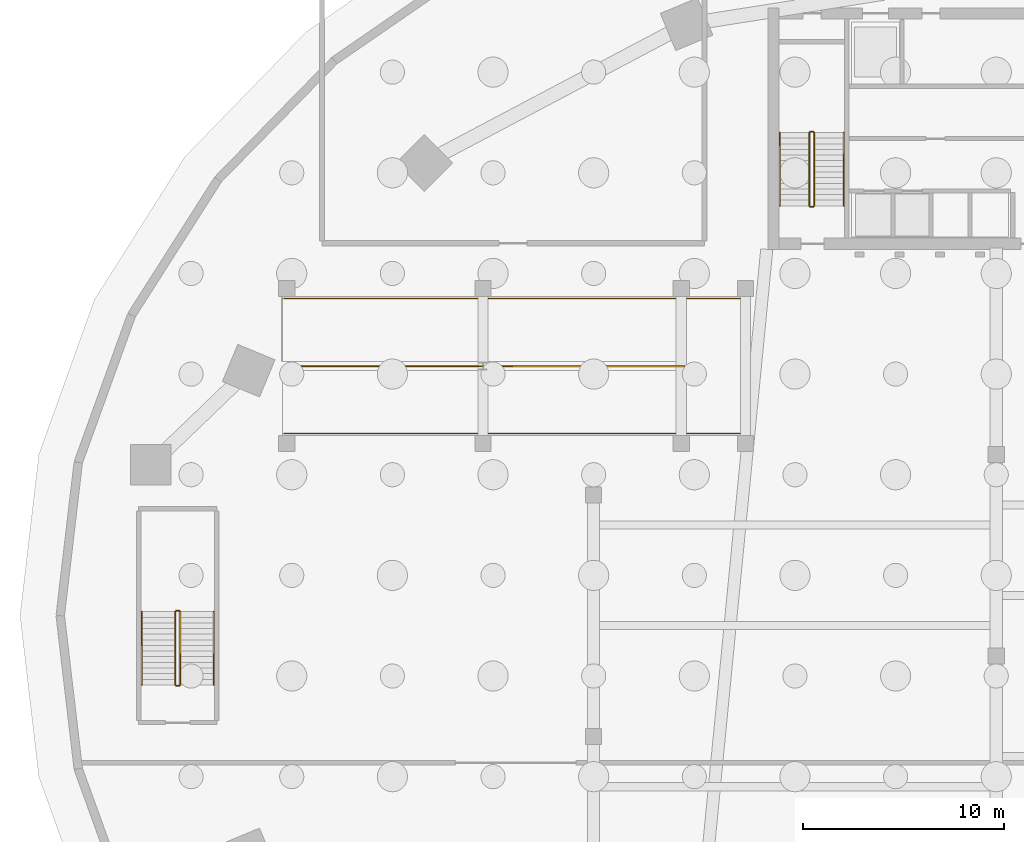
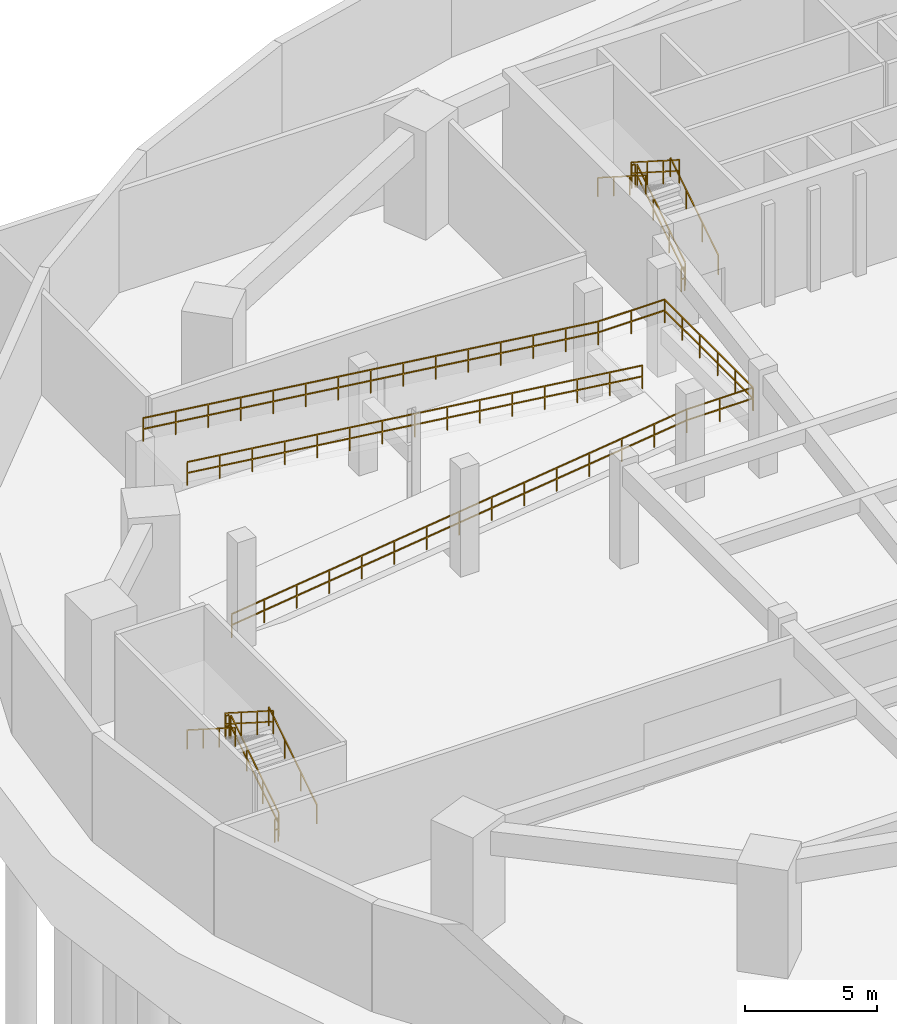
# One storey, part 9 of 11: 14 railings.
"""IFC4 building model written with IfcOpenShell, lengths in metres."""

from ifc_helpers import new_model, si_unit, direction, frame, origin, origin_2d, place, context, subcontext, project, spatial, rectangle, extrude, material, type_object, element, save


model = new_model("IFC4")

# Units and contexts
model_context = context("Model", 3, precision=1e-05, world=origin(), true_north=direction((0.0, 1.0)))
body_context = subcontext(model_context, "Body", "Model", "MODEL_VIEW")
ifc_project = project(units=[si_unit("LENGTHUNIT", "METRE"), si_unit("AREAUNIT", "SQUARE_METRE"), si_unit("VOLUMEUNIT", "CUBIC_METRE"), si_unit("PLANEANGLEUNIT", "RADIAN"), si_unit("MASSUNIT", "GRAM", prefix="KILO")], contexts=[model_context])

# Site, building, storey
site_placement = place(None, origin())
site = spatial("IfcSite", under=ifc_project, at=site_placement, CompositionType="ELEMENT")
building_placement = place(site_placement, origin())
building = spatial("IfcBuilding", under=site, at=building_placement, Name="Breltana Convention Tower", CompositionType="ELEMENT")
storey_placement = place(building_placement, frame((0.0, 0.0, -10.0)))
storey = spatial("IfcBuildingStorey", under=building, at=storey_placement, Name="B02", CompositionType="ELEMENT", Elevation=-10.0)

# Railings
ifc_material_1 = material(Name="Steel S275 Painted", Category="steel")
railing_type_1 = type_object("IfcRailingType", Name="RL-STAIR-GUARD-1100", PredefinedType="GUARDRAIL", material=ifc_material_1)
railing_1_placement = place(storey_placement, frame((38.9599609375, 62.360107421875, 0.178466796875)))
element("IfcRailing", 1, at=railing_1_placement, inside=storey, type_object=railing_type_1, Name="B02 ST-1 stair guard 1", PredefinedType="GUARDRAIL", context=body_context, shape_type="SweptSolid", body=[
    extrude(rectangle(XDim=0.048095703125, YDim=0.048095703125, at=origin_2d()), frame((0.0, 0.0, 1.076171875), z_axis=(0.0, 0.843111507901, 0.53773877045), x_axis=(-1.0, 0.0, 0.0)), (0.0, 0.0, 1.0), 4.317138671875),
    extrude(rectangle(XDim=0.048095703125, YDim=0.048095703125, at=origin_2d()), frame((0.0, 0.0, 0.572021484375), z_axis=(0.0, 0.843111507901, 0.53773877045), x_axis=(-1.0, 0.0, 0.0)), (0.0, 0.0, 1.0), 4.317138671875),
    extrude(rectangle(XDim=0.0419921875, YDim=0.0419921875, at=origin_2d()), origin(), (0.0, 0.0, 1.0), 1.052001953125),
    extrude(rectangle(XDim=0.0419921875, YDim=0.0419921875, at=origin_2d()), frame((0.0, 1.21337890625, 0.77392578125)), (0.0, 0.0, 1.0), 1.052001953125),
    extrude(rectangle(XDim=0.0419921875, YDim=0.0419921875, at=origin_2d()), frame((0.0, 2.426513671875, 1.547607421875)), (0.0, 0.0, 1.0), 1.052001953125),
    extrude(rectangle(XDim=0.0419921875, YDim=0.0419921875, at=origin_2d()), frame((0.0, 3.639892578125, 2.321533203125)), (0.0, 0.0, 1.0), 1.052001953125),
])
railing_2_placement = place(storey_placement, frame((38.909912109375, 66.050048828125, 2.5)))
element("IfcRailing", 2, at=railing_2_placement, inside=storey, type_object=railing_type_1, Name="B02 ST-1 stair guard 2", PredefinedType="GUARDRAIL", context=body_context, shape_type="SweptSolid", body=[
    extrude(rectangle(XDim=0.048095703125, YDim=0.048095703125, at=origin_2d()), frame((0.0, 0.0, 1.076171875), z_axis=(-1.0, 0.0, 0.0), x_axis=(0.0, -1.0, 0.0)), (0.0, 0.0, 1.0), 0.14990234375),
    extrude(rectangle(XDim=0.048095703125, YDim=0.048095703125, at=origin_2d()), frame((0.0, 0.0, 0.572021484375), z_axis=(-1.0, 0.0, 0.0), x_axis=(0.0, -1.0, 0.0)), (0.0, 0.0, 1.0), 0.14990234375),
    extrude(rectangle(XDim=0.0419921875, YDim=0.0419921875, at=origin_2d()), origin(), (0.0, 0.0, 1.0), 1.052001953125),
    extrude(rectangle(XDim=0.0419921875, YDim=0.0419921875, at=origin_2d()), frame((-0.14990234375, 0.0, 0.0)), (0.0, 0.0, 1.0), 1.052001953125),
])
railing_3_placement = place(storey_placement, frame((38.7099609375, 66.0, 2.678466796875)))
element("IfcRailing", 3, at=railing_3_placement, inside=storey, type_object=railing_type_1, Name="B02 ST-1 stair guard 3", PredefinedType="GUARDRAIL", context=body_context, shape_type="SweptSolid", body=[
    extrude(rectangle(XDim=0.048095703125, YDim=0.048095703125, at=origin_2d()), frame((0.0, 0.0, 1.076171875), z_axis=(0.0, -0.843111507901, 0.53773877045), x_axis=(1.0, 0.0, 0.0)), (0.0, 0.0, 1.0), 4.317138671875),
    extrude(rectangle(XDim=0.048095703125, YDim=0.048095703125, at=origin_2d()), frame((0.0, 0.0, 0.572021484375), z_axis=(0.0, -0.843111507901, 0.53773877045), x_axis=(1.0, 0.0, 0.0)), (0.0, 0.0, 1.0), 4.317138671875),
    extrude(rectangle(XDim=0.0419921875, YDim=0.0419921875, at=origin_2d()), origin(), (0.0, 0.0, 1.0), 1.052001953125),
    extrude(rectangle(XDim=0.0419921875, YDim=0.0419921875, at=origin_2d()), frame((0.0, -1.21337890625, 0.77392578125)), (0.0, 0.0, 1.0), 1.052001953125),
    extrude(rectangle(XDim=0.0419921875, YDim=0.0419921875, at=origin_2d()), frame((0.0, -2.426513671875, 1.547607421875)), (0.0, 0.0, 1.0), 1.052001953125),
    extrude(rectangle(XDim=0.0419921875, YDim=0.0419921875, at=origin_2d()), frame((0.0, -3.639892578125, 2.321533203125)), (0.0, 0.0, 1.0), 1.052001953125),
])
railing_4_placement = place(storey_placement, frame((38.909912109375, 62.31005859375, 0.0)))
element("IfcRailing", 4, at=railing_4_placement, inside=storey, type_object=railing_type_1, Name="B02 ST-1 stair guard 4", PredefinedType="GUARDRAIL", context=body_context, shape_type="SweptSolid", body=[
    extrude(rectangle(XDim=0.048095703125, YDim=0.048095703125, at=origin_2d()), frame((0.0, 0.0, 1.076171875), z_axis=(-1.0, 0.0, 0.0), x_axis=(0.0, -1.0, 0.0)), (0.0, 0.0, 1.0), 0.14990234375),
    extrude(rectangle(XDim=0.048095703125, YDim=0.048095703125, at=origin_2d()), frame((0.0, 0.0, 0.572021484375), z_axis=(-1.0, 0.0, 0.0), x_axis=(0.0, -1.0, 0.0)), (0.0, 0.0, 1.0), 0.14990234375),
    extrude(rectangle(XDim=0.0419921875, YDim=0.0419921875, at=origin_2d()), origin(), (0.0, 0.0, 1.0), 1.052001953125),
    extrude(rectangle(XDim=0.0419921875, YDim=0.0419921875, at=origin_2d()), frame((-0.14990234375, 0.0, 0.0)), (0.0, 0.0, 1.0), 1.052001953125),
])
railing_5_placement = place(storey_placement, frame((7.4599609375, 38.56005859375, 0.178466796875)))
element("IfcRailing", 5, at=railing_5_placement, inside=storey, type_object=railing_type_1, Name="B02 ST-3 stair guard 1", PredefinedType="GUARDRAIL", context=body_context, shape_type="SweptSolid", body=[
    extrude(rectangle(XDim=0.048095703125, YDim=0.048095703125, at=origin_2d()), frame((0.0, 0.0, 1.076171875), z_axis=(0.0, 0.843111507901, 0.53773877045), x_axis=(-1.0, 0.0, 0.0)), (0.0, 0.0, 1.0), 4.317138671875),
    extrude(rectangle(XDim=0.048095703125, YDim=0.048095703125, at=origin_2d()), frame((0.0, 0.0, 0.572021484375), z_axis=(0.0, 0.843111507901, 0.53773877045), x_axis=(-1.0, 0.0, 0.0)), (0.0, 0.0, 1.0), 4.317138671875),
    extrude(rectangle(XDim=0.0419921875, YDim=0.0419921875, at=origin_2d()), origin(), (0.0, 0.0, 1.0), 1.052001953125),
    extrude(rectangle(XDim=0.0419921875, YDim=0.0419921875, at=origin_2d()), frame((0.0, 1.21337890625, 0.77392578125)), (0.0, 0.0, 1.0), 1.052001953125),
    extrude(rectangle(XDim=0.0419921875, YDim=0.0419921875, at=origin_2d()), frame((0.0, 2.426513671875, 1.547607421875)), (0.0, 0.0, 1.0), 1.052001953125),
    extrude(rectangle(XDim=0.0419921875, YDim=0.0419921875, at=origin_2d()), frame((0.0, 3.639892578125, 2.321533203125)), (0.0, 0.0, 1.0), 1.052001953125),
])
railing_6_placement = place(storey_placement, frame((7.409912109375, 42.25, 2.5)))
element("IfcRailing", 6, at=railing_6_placement, inside=storey, type_object=railing_type_1, Name="B02 ST-3 stair guard 2", PredefinedType="GUARDRAIL", context=body_context, shape_type="SweptSolid", body=[
    extrude(rectangle(XDim=0.048095703125, YDim=0.048095703125, at=origin_2d()), frame((0.0, 0.0, 1.076171875), z_axis=(-1.0, 0.0, 0.0), x_axis=(0.0, -1.0, 0.0)), (0.0, 0.0, 1.0), 0.14990234375),
    extrude(rectangle(XDim=0.048095703125, YDim=0.048095703125, at=origin_2d()), frame((0.0, 0.0, 0.572021484375), z_axis=(-1.0, 0.0, 0.0), x_axis=(0.0, -1.0, 0.0)), (0.0, 0.0, 1.0), 0.14990234375),
    extrude(rectangle(XDim=0.0419921875, YDim=0.0419921875, at=origin_2d()), origin(), (0.0, 0.0, 1.0), 1.052001953125),
    extrude(rectangle(XDim=0.0419921875, YDim=0.0419921875, at=origin_2d()), frame((-0.14990234375, 0.0, 0.0)), (0.0, 0.0, 1.0), 1.052001953125),
])
railing_7_placement = place(storey_placement, frame((7.2099609375, 42.199951171875, 2.678466796875)))
element("IfcRailing", 7, at=railing_7_placement, inside=storey, type_object=railing_type_1, Name="B02 ST-3 stair guard 3", PredefinedType="GUARDRAIL", context=body_context, shape_type="SweptSolid", body=[
    extrude(rectangle(XDim=0.048095703125, YDim=0.048095703125, at=origin_2d()), frame((0.0, 0.0, 1.076171875), z_axis=(0.0, -0.843111507901, 0.53773877045), x_axis=(1.0, 0.0, 0.0)), (0.0, 0.0, 1.0), 4.317138671875),
    extrude(rectangle(XDim=0.048095703125, YDim=0.048095703125, at=origin_2d()), frame((0.0, 0.0, 0.572021484375), z_axis=(0.0, -0.843111507901, 0.53773877045), x_axis=(1.0, 0.0, 0.0)), (0.0, 0.0, 1.0), 4.317138671875),
    extrude(rectangle(XDim=0.0419921875, YDim=0.0419921875, at=origin_2d()), origin(), (0.0, 0.0, 1.0), 1.052001953125),
    extrude(rectangle(XDim=0.0419921875, YDim=0.0419921875, at=origin_2d()), frame((0.0, -1.21337890625, 0.77392578125)), (0.0, 0.0, 1.0), 1.052001953125),
    extrude(rectangle(XDim=0.0419921875, YDim=0.0419921875, at=origin_2d()), frame((0.0, -2.426513671875, 1.547607421875)), (0.0, 0.0, 1.0), 1.052001953125),
    extrude(rectangle(XDim=0.0419921875, YDim=0.0419921875, at=origin_2d()), frame((0.0, -3.639892578125, 2.321533203125)), (0.0, 0.0, 1.0), 1.052001953125),
])
railing_8_placement = place(storey_placement, frame((7.409912109375, 38.510009765625, 0.0)))
element("IfcRailing", 8, at=railing_8_placement, inside=storey, type_object=railing_type_1, Name="B02 ST-3 stair guard 4", PredefinedType="GUARDRAIL", context=body_context, shape_type="SweptSolid", body=[
    extrude(rectangle(XDim=0.048095703125, YDim=0.048095703125, at=origin_2d()), frame((0.0, 0.0, 1.076171875), z_axis=(-1.0, 0.0, 0.0), x_axis=(0.0, -1.0, 0.0)), (0.0, 0.0, 1.0), 0.14990234375),
    extrude(rectangle(XDim=0.048095703125, YDim=0.048095703125, at=origin_2d()), frame((0.0, 0.0, 0.572021484375), z_axis=(-1.0, 0.0, 0.0), x_axis=(0.0, -1.0, 0.0)), (0.0, 0.0, 1.0), 0.14990234375),
    extrude(rectangle(XDim=0.0419921875, YDim=0.0419921875, at=origin_2d()), origin(), (0.0, 0.0, 1.0), 1.052001953125),
    extrude(rectangle(XDim=0.0419921875, YDim=0.0419921875, at=origin_2d()), frame((-0.14990234375, 0.0, 0.0)), (0.0, 0.0, 1.0), 1.052001953125),
])
railing_9_placement = place(storey_placement, frame((12.60009765625, 54.39990234375, 5.0)))
element("IfcRailing", 9, at=railing_9_placement, inside=storey, type_object=railing_type_1, Name="B02 ramp center divider guardrail", PredefinedType="GUARDRAIL", context=body_context, shape_type="SweptSolid", body=[
    extrude(rectangle(XDim=0.048095703125, YDim=0.048095703125, at=origin_2d()), frame((0.0, 0.0, 1.076171875), z_axis=(0.992200904625, 0.0, -0.124648966548), x_axis=(0.0, 1.0, 0.0)), (0.0, 0.0, 1.0), 20.056396484375),
    extrude(rectangle(XDim=0.048095703125, YDim=0.048095703125, at=origin_2d()), frame((0.0, 0.0, 0.572021484375), z_axis=(0.992200904625, 0.0, -0.124648966548), x_axis=(0.0, 1.0, 0.0)), (0.0, 0.0, 1.0), 20.056396484375),
    extrude(rectangle(XDim=0.0419921875, YDim=0.0419921875, at=origin_2d()), origin(), (0.0, 0.0, 1.0), 1.052001953125),
    extrude(rectangle(XDim=0.0419921875, YDim=0.0419921875, at=origin_2d()), frame((1.42138671875, 0.0, -0.178466796875)), (0.0, 0.0, 1.0), 1.052001953125),
    extrude(rectangle(XDim=0.0419921875, YDim=0.0419921875, at=origin_2d()), frame((2.8427734375, 0.0, -0.357177734375)), (0.0, 0.0, 1.0), 1.052001953125),
    extrude(rectangle(XDim=0.0419921875, YDim=0.0419921875, at=origin_2d()), frame((4.26416015625, 0.0, -0.53564453125)), (0.0, 0.0, 1.0), 1.052001953125),
    extrude(rectangle(XDim=0.0419921875, YDim=0.0419921875, at=origin_2d()), frame((5.685791015625, 0.0, -0.71435546875)), (0.0, 0.0, 1.0), 1.052001953125),
    extrude(rectangle(XDim=0.0419921875, YDim=0.0419921875, at=origin_2d()), frame((7.107177734375, 0.0, -0.892822265625)), (0.0, 0.0, 1.0), 1.052001953125),
    extrude(rectangle(XDim=0.0419921875, YDim=0.0419921875, at=origin_2d()), frame((8.528564453125, 0.0, -1.071533203125)), (0.0, 0.0, 1.0), 1.052001953125),
    extrude(rectangle(XDim=0.0419921875, YDim=0.0419921875, at=origin_2d()), frame((9.949951171875, 0.0, -1.25)), (0.0, 0.0, 1.0), 1.052001953125),
    extrude(rectangle(XDim=0.0419921875, YDim=0.0419921875, at=origin_2d()), frame((11.371337890625, 0.0, -1.428466796875)), (0.0, 0.0, 1.0), 1.052001953125),
    extrude(rectangle(XDim=0.0419921875, YDim=0.0419921875, at=origin_2d()), frame((12.792724609375, 0.0, -1.607177734375)), (0.0, 0.0, 1.0), 1.052001953125),
    extrude(rectangle(XDim=0.0419921875, YDim=0.0419921875, at=origin_2d()), frame((14.214111328125, 0.0, -1.78564453125)), (0.0, 0.0, 1.0), 1.052001953125),
    extrude(rectangle(XDim=0.0419921875, YDim=0.0419921875, at=origin_2d()), frame((15.6357421875, 0.0, -1.96435546875)), (0.0, 0.0, 1.0), 1.052001953125),
    extrude(rectangle(XDim=0.0419921875, YDim=0.0419921875, at=origin_2d()), frame((17.05712890625, 0.0, -2.142822265625)), (0.0, 0.0, 1.0), 1.052001953125),
    extrude(rectangle(XDim=0.0419921875, YDim=0.0419921875, at=origin_2d()), frame((18.478515625, 0.0, -2.321533203125)), (0.0, 0.0, 1.0), 1.052001953125),
    extrude(rectangle(XDim=0.0419921875, YDim=0.0419921875, at=origin_2d()), frame((19.89990234375, 0.0, -2.5)), (0.0, 0.0, 1.0), 1.052001953125),
])
railing_10_placement = place(storey_placement, frame((12.60009765625, 57.75, 5.0)))
element("IfcRailing", 10, at=railing_10_placement, inside=storey, type_object=railing_type_1, Name="B02 ramp outer edge safety guardrail", PredefinedType="GUARDRAIL", context=body_context, shape_type="SweptSolid", body=[
    extrude(rectangle(XDim=0.048095703125, YDim=0.048095703125, at=origin_2d()), frame((0.0, 0.0, 1.076171875), z_axis=(0.992200904625, 0.0, -0.124648966548), x_axis=(0.0, 1.0, 0.0)), (0.0, 0.0, 1.0), 20.056396484375),
    extrude(rectangle(XDim=0.048095703125, YDim=0.048095703125, at=origin_2d()), frame((0.0, 0.0, 0.572021484375), z_axis=(0.992200904625, 0.0, -0.124648966548), x_axis=(0.0, 1.0, 0.0)), (0.0, 0.0, 1.0), 20.056396484375),
    extrude(rectangle(XDim=0.048095703125, YDim=0.048095703125, at=origin_2d()), frame((19.89990234375, 0.0, -1.423828125), z_axis=(1.0, 0.0, 0.0), x_axis=(0.0, 1.0, 0.0)), (0.0, 0.0, 1.0), 2.89990234375),
    extrude(rectangle(XDim=0.048095703125, YDim=0.048095703125, at=origin_2d()), frame((19.89990234375, 0.0, -1.927978515625), z_axis=(1.0, 0.0, 0.0), x_axis=(0.0, 1.0, 0.0)), (0.0, 0.0, 1.0), 2.89990234375),
    extrude(rectangle(XDim=0.048095703125, YDim=0.048095703125, at=origin_2d()), frame((22.7998046875, 0.0, -1.423828125), z_axis=(0.0, -1.0, 0.0), x_axis=(1.0, 0.0, 0.0)), (0.0, 0.0, 1.0), 6.699951171875),
    extrude(rectangle(XDim=0.048095703125, YDim=0.048095703125, at=origin_2d()), frame((22.7998046875, 0.0, -1.927978515625), z_axis=(0.0, -1.0, 0.0), x_axis=(1.0, 0.0, 0.0)), (0.0, 0.0, 1.0), 6.699951171875),
    extrude(rectangle(XDim=0.048095703125, YDim=0.048095703125, at=origin_2d()), frame((22.7998046875, -6.699951171875, -1.423828125), z_axis=(-1.0, 0.0, 0.0), x_axis=(0.0, -1.0, 0.0)), (0.0, 0.0, 1.0), 2.89990234375),
    extrude(rectangle(XDim=0.048095703125, YDim=0.048095703125, at=origin_2d()), frame((22.7998046875, -6.699951171875, -1.927978515625), z_axis=(-1.0, 0.0, 0.0), x_axis=(0.0, -1.0, 0.0)), (0.0, 0.0, 1.0), 2.89990234375),
    extrude(rectangle(XDim=0.048095703125, YDim=0.048095703125, at=origin_2d()), frame((19.89990234375, -6.699951171875, -1.423828125), z_axis=(-0.992200904625, 0.0, -0.124648966548), x_axis=(0.0, -1.0, 0.0)), (0.0, 0.0, 1.0), 20.056396484375),
    extrude(rectangle(XDim=0.048095703125, YDim=0.048095703125, at=origin_2d()), frame((19.89990234375, -6.699951171875, -1.927978515625), z_axis=(-0.992200904625, 0.0, -0.124648966548), x_axis=(0.0, -1.0, 0.0)), (0.0, 0.0, 1.0), 20.056396484375),
    extrude(rectangle(XDim=0.0419921875, YDim=0.0419921875, at=origin_2d()), origin(), (0.0, 0.0, 1.0), 1.052001953125),
    extrude(rectangle(XDim=0.0419921875, YDim=0.0419921875, at=origin_2d()), frame((1.42138671875, 0.0, -0.178466796875)), (0.0, 0.0, 1.0), 1.052001953125),
    extrude(rectangle(XDim=0.0419921875, YDim=0.0419921875, at=origin_2d()), frame((2.8427734375, 0.0, -0.357177734375)), (0.0, 0.0, 1.0), 1.052001953125),
    extrude(rectangle(XDim=0.0419921875, YDim=0.0419921875, at=origin_2d()), frame((4.26416015625, 0.0, -0.53564453125)), (0.0, 0.0, 1.0), 1.052001953125),
    extrude(rectangle(XDim=0.0419921875, YDim=0.0419921875, at=origin_2d()), frame((5.685791015625, 0.0, -0.71435546875)), (0.0, 0.0, 1.0), 1.052001953125),
    extrude(rectangle(XDim=0.0419921875, YDim=0.0419921875, at=origin_2d()), frame((7.107177734375, 0.0, -0.892822265625)), (0.0, 0.0, 1.0), 1.052001953125),
    extrude(rectangle(XDim=0.0419921875, YDim=0.0419921875, at=origin_2d()), frame((8.528564453125, 0.0, -1.071533203125)), (0.0, 0.0, 1.0), 1.052001953125),
    extrude(rectangle(XDim=0.0419921875, YDim=0.0419921875, at=origin_2d()), frame((9.949951171875, 0.0, -1.25)), (0.0, 0.0, 1.0), 1.052001953125),
    extrude(rectangle(XDim=0.0419921875, YDim=0.0419921875, at=origin_2d()), frame((11.371337890625, 0.0, -1.428466796875)), (0.0, 0.0, 1.0), 1.052001953125),
    extrude(rectangle(XDim=0.0419921875, YDim=0.0419921875, at=origin_2d()), frame((12.792724609375, 0.0, -1.607177734375)), (0.0, 0.0, 1.0), 1.052001953125),
    extrude(rectangle(XDim=0.0419921875, YDim=0.0419921875, at=origin_2d()), frame((14.214111328125, 0.0, -1.78564453125)), (0.0, 0.0, 1.0), 1.052001953125),
    extrude(rectangle(XDim=0.0419921875, YDim=0.0419921875, at=origin_2d()), frame((15.6357421875, 0.0, -1.96435546875)), (0.0, 0.0, 1.0), 1.052001953125),
    extrude(rectangle(XDim=0.0419921875, YDim=0.0419921875, at=origin_2d()), frame((17.05712890625, 0.0, -2.142822265625)), (0.0, 0.0, 1.0), 1.052001953125),
    extrude(rectangle(XDim=0.0419921875, YDim=0.0419921875, at=origin_2d()), frame((18.478515625, 0.0, -2.321533203125)), (0.0, 0.0, 1.0), 1.052001953125),
    extrude(rectangle(XDim=0.0419921875, YDim=0.0419921875, at=origin_2d()), frame((19.89990234375, 0.0, -2.5)), (0.0, 0.0, 1.0), 1.052001953125),
    extrude(rectangle(XDim=0.0419921875, YDim=0.0419921875, at=origin_2d()), frame((21.349853515625, 0.0, -2.5)), (0.0, 0.0, 1.0), 1.052001953125),
    extrude(rectangle(XDim=0.0419921875, YDim=0.0419921875, at=origin_2d()), frame((22.7998046875, 0.0, -2.5)), (0.0, 0.0, 1.0), 1.052001953125),
    extrude(rectangle(XDim=0.0419921875, YDim=0.0419921875, at=origin_2d()), frame((22.7998046875, -1.340087890625, -2.5)), (0.0, 0.0, 1.0), 1.052001953125),
    extrude(rectangle(XDim=0.0419921875, YDim=0.0419921875, at=origin_2d()), frame((22.7998046875, -2.679931640625, -2.5)), (0.0, 0.0, 1.0), 1.052001953125),
    extrude(rectangle(XDim=0.0419921875, YDim=0.0419921875, at=origin_2d()), frame((22.7998046875, -4.02001953125, -2.5)), (0.0, 0.0, 1.0), 1.052001953125),
    extrude(rectangle(XDim=0.0419921875, YDim=0.0419921875, at=origin_2d()), frame((22.7998046875, -5.35986328125, -2.5)), (0.0, 0.0, 1.0), 1.052001953125),
    extrude(rectangle(XDim=0.0419921875, YDim=0.0419921875, at=origin_2d()), frame((22.7998046875, -6.699951171875, -2.5)), (0.0, 0.0, 1.0), 1.052001953125),
    extrude(rectangle(XDim=0.0419921875, YDim=0.0419921875, at=origin_2d()), frame((21.349853515625, -6.699951171875, -2.5)), (0.0, 0.0, 1.0), 1.052001953125),
    extrude(rectangle(XDim=0.0419921875, YDim=0.0419921875, at=origin_2d()), frame((19.89990234375, -6.699951171875, -2.5)), (0.0, 0.0, 1.0), 1.052001953125),
    extrude(rectangle(XDim=0.0419921875, YDim=0.0419921875, at=origin_2d()), frame((18.478515625, -6.699951171875, -2.678466796875)), (0.0, 0.0, 1.0), 1.052001953125),
    extrude(rectangle(XDim=0.0419921875, YDim=0.0419921875, at=origin_2d()), frame((17.05712890625, -6.699951171875, -2.857177734375)), (0.0, 0.0, 1.0), 1.052001953125),
    extrude(rectangle(XDim=0.0419921875, YDim=0.0419921875, at=origin_2d()), frame((15.6357421875, -6.699951171875, -3.03564453125)), (0.0, 0.0, 1.0), 1.052001953125),
    extrude(rectangle(XDim=0.0419921875, YDim=0.0419921875, at=origin_2d()), frame((14.214111328125, -6.699951171875, -3.21435546875)), (0.0, 0.0, 1.0), 1.052001953125),
    extrude(rectangle(XDim=0.0419921875, YDim=0.0419921875, at=origin_2d()), frame((12.792724609375, -6.699951171875, -3.392822265625)), (0.0, 0.0, 1.0), 1.052001953125),
    extrude(rectangle(XDim=0.0419921875, YDim=0.0419921875, at=origin_2d()), frame((11.371337890625, -6.699951171875, -3.571533203125)), (0.0, 0.0, 1.0), 1.052001953125),
    extrude(rectangle(XDim=0.0419921875, YDim=0.0419921875, at=origin_2d()), frame((9.949951171875, -6.699951171875, -3.75)), (0.0, 0.0, 1.0), 1.052001953125),
    extrude(rectangle(XDim=0.0419921875, YDim=0.0419921875, at=origin_2d()), frame((8.528564453125, -6.699951171875, -3.928466796875)), (0.0, 0.0, 1.0), 1.052001953125),
    extrude(rectangle(XDim=0.0419921875, YDim=0.0419921875, at=origin_2d()), frame((7.107177734375, -6.699951171875, -4.107177734375)), (0.0, 0.0, 1.0), 1.052001953125),
    extrude(rectangle(XDim=0.0419921875, YDim=0.0419921875, at=origin_2d()), frame((5.685791015625, -6.699951171875, -4.28564453125)), (0.0, 0.0, 1.0), 1.052001953125),
    extrude(rectangle(XDim=0.0419921875, YDim=0.0419921875, at=origin_2d()), frame((4.26416015625, -6.699951171875, -4.46435546875)), (0.0, 0.0, 1.0), 1.052001953125),
    extrude(rectangle(XDim=0.0419921875, YDim=0.0419921875, at=origin_2d()), frame((2.8427734375, -6.699951171875, -4.642822265625)), (0.0, 0.0, 1.0), 1.052001953125),
    extrude(rectangle(XDim=0.0419921875, YDim=0.0419921875, at=origin_2d()), frame((1.42138671875, -6.699951171875, -4.821533203125)), (0.0, 0.0, 1.0), 1.052001953125),
    extrude(rectangle(XDim=0.0419921875, YDim=0.0419921875, at=origin_2d()), frame((0.0, -6.699951171875, -5.0)), (0.0, 0.0, 1.0), 1.052001953125),
])
ifc_material_2 = material(Name="Stainless Steel 316L", Category="steel")
railing_type_2 = type_object("IfcRailingType", Name="RL-STAIR-HANDRAIL-900", PredefinedType="HANDRAIL", material=ifc_material_2)
railing_11_placement = place(storey_placement, frame((40.419921875, 62.360107421875, 0.178466796875)))
element("IfcRailing", 11, at=railing_11_placement, inside=storey, type_object=railing_type_2, Name="B02 ST-1 stair handrail 1", PredefinedType="HANDRAIL", context=body_context, shape_type="SweptSolid", body=[
    extrude(rectangle(XDim=0.048095703125, YDim=0.048095703125, at=origin_2d()), frame((0.0, 0.0, 0.8759765625), z_axis=(0.0, 0.843111507901, 0.53773877045), x_axis=(-1.0, 0.0, 0.0)), (0.0, 0.0, 1.0), 4.317138671875),
    extrude(rectangle(XDim=0.0419921875, YDim=0.0419921875, at=origin_2d()), origin(), (0.0, 0.0, 1.0), 0.851806640625),
    extrude(rectangle(XDim=0.0419921875, YDim=0.0419921875, at=origin_2d()), frame((0.0, 1.21337890625, 0.77392578125)), (0.0, 0.0, 1.0), 0.851806640625),
    extrude(rectangle(XDim=0.0419921875, YDim=0.0419921875, at=origin_2d()), frame((0.0, 2.426513671875, 1.547607421875)), (0.0, 0.0, 1.0), 0.851806640625),
    extrude(rectangle(XDim=0.0419921875, YDim=0.0419921875, at=origin_2d()), frame((0.0, 3.639892578125, 2.321533203125)), (0.0, 0.0, 1.0), 0.851806640625),
])
railing_12_placement = place(storey_placement, frame((37.25, 66.0, 2.678466796875)))
element("IfcRailing", 12, at=railing_12_placement, inside=storey, type_object=railing_type_2, Name="B02 ST-1 stair handrail 2", PredefinedType="HANDRAIL", context=body_context, shape_type="SweptSolid", body=[
    extrude(rectangle(XDim=0.048095703125, YDim=0.048095703125, at=origin_2d()), frame((0.0, 0.0, 0.8759765625), z_axis=(0.0, -0.843111507901, 0.53773877045), x_axis=(1.0, 0.0, 0.0)), (0.0, 0.0, 1.0), 4.317138671875),
    extrude(rectangle(XDim=0.0419921875, YDim=0.0419921875, at=origin_2d()), origin(), (0.0, 0.0, 1.0), 0.851806640625),
    extrude(rectangle(XDim=0.0419921875, YDim=0.0419921875, at=origin_2d()), frame((0.0, -1.21337890625, 0.77392578125)), (0.0, 0.0, 1.0), 0.851806640625),
    extrude(rectangle(XDim=0.0419921875, YDim=0.0419921875, at=origin_2d()), frame((0.0, -2.426513671875, 1.547607421875)), (0.0, 0.0, 1.0), 0.851806640625),
    extrude(rectangle(XDim=0.0419921875, YDim=0.0419921875, at=origin_2d()), frame((0.0, -3.639892578125, 2.321533203125)), (0.0, 0.0, 1.0), 0.851806640625),
])
railing_13_placement = place(storey_placement, frame((9.1201171875, 38.56005859375, 0.178466796875)))
element("IfcRailing", 13, at=railing_13_placement, inside=storey, type_object=railing_type_2, Name="B02 ST-3 stair handrail 1", PredefinedType="HANDRAIL", context=body_context, shape_type="SweptSolid", body=[
    extrude(rectangle(XDim=0.048095703125, YDim=0.048095703125, at=origin_2d()), frame((0.0, 0.0, 0.8759765625), z_axis=(0.0, 0.843111507901, 0.53773877045), x_axis=(-1.0, 0.0, 0.0)), (0.0, 0.0, 1.0), 4.317138671875),
    extrude(rectangle(XDim=0.0419921875, YDim=0.0419921875, at=origin_2d()), origin(), (0.0, 0.0, 1.0), 0.851806640625),
    extrude(rectangle(XDim=0.0419921875, YDim=0.0419921875, at=origin_2d()), frame((0.0, 1.21337890625, 0.77392578125)), (0.0, 0.0, 1.0), 0.851806640625),
    extrude(rectangle(XDim=0.0419921875, YDim=0.0419921875, at=origin_2d()), frame((0.0, 2.426513671875, 1.547607421875)), (0.0, 0.0, 1.0), 0.851806640625),
    extrude(rectangle(XDim=0.0419921875, YDim=0.0419921875, at=origin_2d()), frame((0.0, 3.639892578125, 2.321533203125)), (0.0, 0.0, 1.0), 0.851806640625),
])
railing_14_placement = place(storey_placement, frame((5.550048828125, 42.199951171875, 2.678466796875)))
element("IfcRailing", 14, at=railing_14_placement, inside=storey, type_object=railing_type_2, Name="B02 ST-3 stair handrail 2", PredefinedType="HANDRAIL", context=body_context, shape_type="SweptSolid", body=[
    extrude(rectangle(XDim=0.048095703125, YDim=0.048095703125, at=origin_2d()), frame((0.0, 0.0, 0.8759765625), z_axis=(0.0, -0.843111507901, 0.53773877045), x_axis=(1.0, 0.0, 0.0)), (0.0, 0.0, 1.0), 4.317138671875),
    extrude(rectangle(XDim=0.0419921875, YDim=0.0419921875, at=origin_2d()), origin(), (0.0, 0.0, 1.0), 0.851806640625),
    extrude(rectangle(XDim=0.0419921875, YDim=0.0419921875, at=origin_2d()), frame((0.0, -1.21337890625, 0.77392578125)), (0.0, 0.0, 1.0), 0.851806640625),
    extrude(rectangle(XDim=0.0419921875, YDim=0.0419921875, at=origin_2d()), frame((0.0, -2.426513671875, 1.547607421875)), (0.0, 0.0, 1.0), 0.851806640625),
    extrude(rectangle(XDim=0.0419921875, YDim=0.0419921875, at=origin_2d()), frame((0.0, -3.639892578125, 2.321533203125)), (0.0, 0.0, 1.0), 0.851806640625),
])

save(model, "model.ifc")
